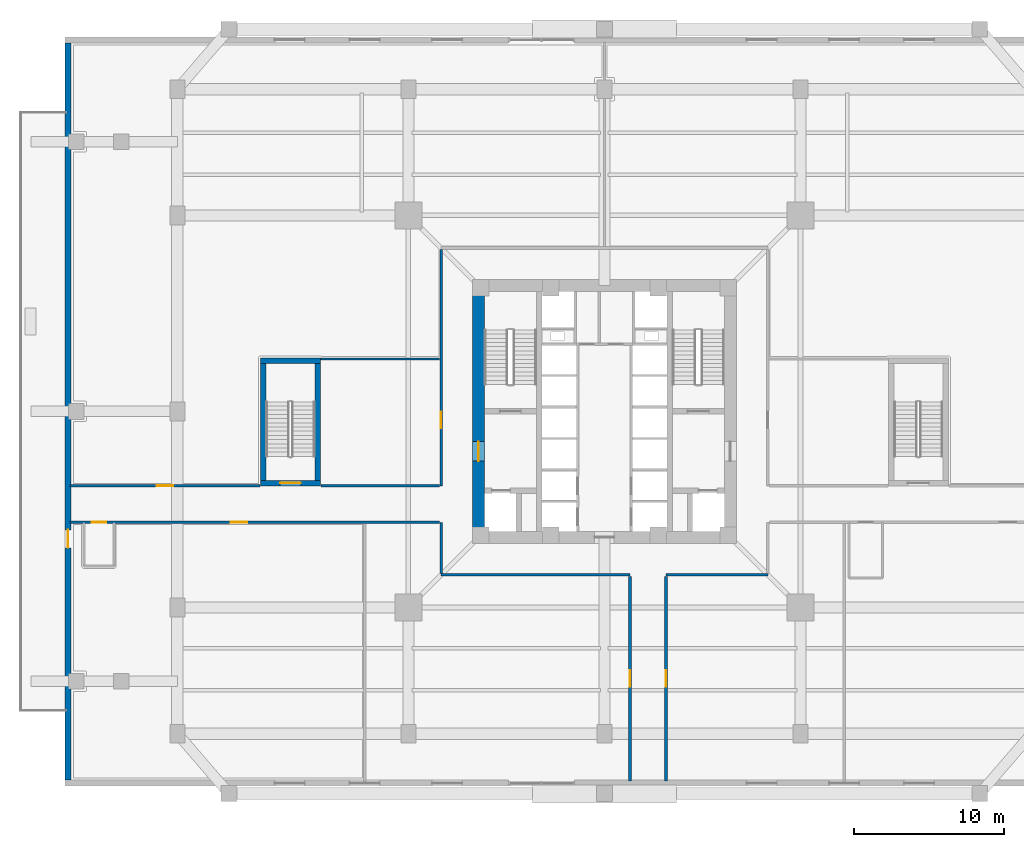
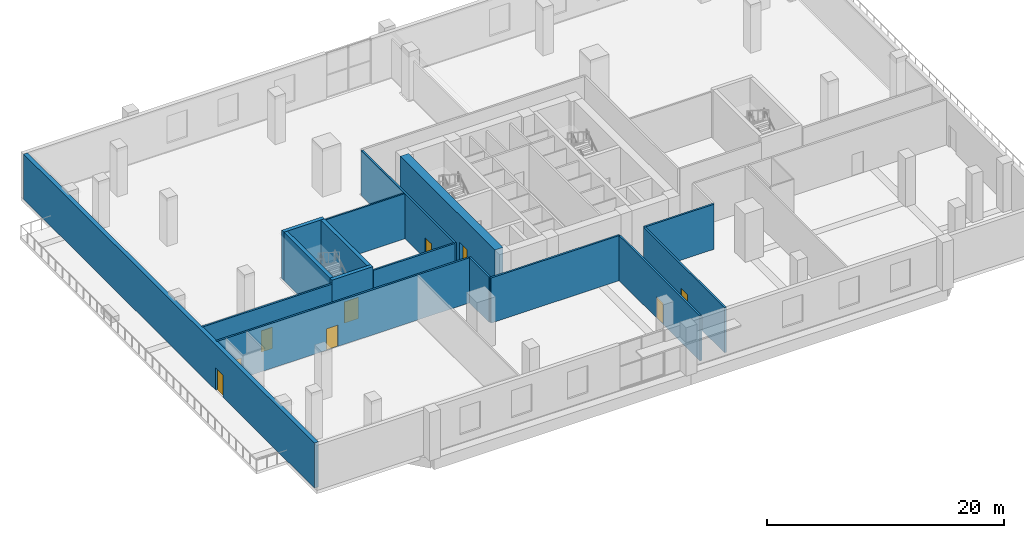
# One storey, part 6 of 15: 16 walls, 9 doors, 9 openings.
"""IFC4 building model written with IfcOpenShell, lengths in metres."""

from ifc_helpers import new_model, si_unit, direction, frame, frame_2d, origin, place, context, subcontext, project, spatial, rectangle, extrude, source, transform, mapped, material, layer, layer_set, type_object, element, fill, save


model = new_model("IFC4")

# Units and contexts
model_context = context("Model", 3, precision=1e-05, world=origin(), true_north=direction((0.0, 1.0)))
body_context = subcontext(model_context, "Body", "Model", "MODEL_VIEW")
ifc_project = project(units=[si_unit("LENGTHUNIT", "METRE"), si_unit("AREAUNIT", "SQUARE_METRE"), si_unit("VOLUMEUNIT", "CUBIC_METRE"), si_unit("PLANEANGLEUNIT", "RADIAN"), si_unit("MASSUNIT", "GRAM", prefix="KILO"), si_unit("THERMODYNAMICTEMPERATUREUNIT", "KELVIN")], contexts=[model_context])

# Site, building, storey
site_placement = place(None, origin())
site = spatial("IfcSite", under=ifc_project, at=site_placement, CompositionType="ELEMENT")
building_placement = place(site_placement, origin())
building = spatial("IfcBuilding", under=site, at=building_placement, Name="Kosmvard Interchange Tower", CompositionType="ELEMENT")
storey_placement = place(building_placement, frame((0.0, 0.0, 11.0)))
storey = spatial("IfcBuildingStorey", under=building, at=storey_placement, Name="L02", CompositionType="ELEMENT", Elevation=11.0)

# Walls
ifc_material_1 = material(Name="Acoustic gypsum partition system")
ifc_layer_1 = layer(ifc_material_1, 0.14990234375, Name="Acoustic gypsum partition system")
ifc_layer_set_1 = layer_set([ifc_layer_1], Name="Acoustic gypsum partition system")
wall_type_1 = type_object("IfcWallType", Name="Acoustic Suite & Meeting Partition 150", PredefinedType="PARTITIONING", material=ifc_layer_set_1)
wall_1_placement = place(storey_placement, frame((-18.9599609375, 3.5, 0.0), z_axis=(0.0, 0.0, 1.0), x_axis=(1.0, 0.0, 0.0)))
element("IfcWall", 1, at=wall_1_placement, inside=storey, type_object=wall_type_1, Name="L02 Room Partition 02.1", PredefinedType="PARTITIONING", context=body_context, shape_type="SweptSolid", body=[
    extrude(rectangle(XDim=7.96484375, YDim=0.14990234375, at=frame_2d((3.982421875, 0.0))), origin(), (0.0, 0.0, 1.0), 4.659912109375),
])
ifc_material_2 = material(Name="Fire-rated gypsum partition system")
ifc_layer_2 = layer(ifc_material_2, 0.179931640625, Name="Fire-rated gypsum partition system")
ifc_layer_set_2 = layer_set([ifc_layer_2], Name="Fire-rated gypsum partition system")
wall_type_2 = type_object("IfcWallType", Name="Corridor & Hotel Compartment Partition 180", PredefinedType="PARTITIONING", material=ifc_layer_set_2)
wall_2_placement = place(storey_placement, frame((-10.89990234375, -10.89990234375, 0.0), z_axis=(0.0, 0.0, 1.0), x_axis=(1.0, 0.0, 0.0)))
element("IfcWall", 2, at=wall_2_placement, inside=storey, type_object=wall_type_2, Name="L02 Corridor Wall CSW", PredefinedType="PARTITIONING", context=body_context, shape_type="SweptSolid", body=[
    extrude(rectangle(XDim=12.599853515625, YDim=0.179931640625, at=frame_2d((6.2998046875, 0.0))), origin(), (0.0, 0.0, 1.0), 4.659912109375),
])
wall_3_placement = place(storey_placement, frame((4.10009765625, -10.89990234375, 0.0), z_axis=(0.0, 0.0, 1.0), x_axis=(1.0, 0.0, 0.0)))
element("IfcWall", 3, at=wall_3_placement, inside=storey, type_object=wall_type_2, Name="L02 Corridor Wall CSE", PredefinedType="PARTITIONING", context=body_context, shape_type="SweptSolid", body=[
    extrude(rectangle(XDim=6.7998046875, YDim=0.179931640625, at=frame_2d((3.39990234375, 0.0))), origin(), (0.0, 0.0, 1.0), 4.659912109375),
])
wall_4_placement = place(storey_placement, frame((-10.89990234375, -10.800048828125, 0.0), z_axis=(0.0, 0.0, 1.0), x_axis=(0.0, 1.0, 0.0)))
element("IfcWall", 4, at=wall_4_placement, inside=storey, type_object=wall_type_2, Name="L02 Corridor Wall CWS", PredefinedType="PARTITIONING", context=body_context, shape_type="SweptSolid", body=[
    extrude(rectangle(XDim=3.400146484375, YDim=0.179931640625, at=frame_2d((1.7001953125, 0.0))), origin(), (0.0, 0.0, 1.0), 4.659912109375),
])

# Wall, opening, door
wall_5_placement = place(storey_placement, frame((-10.89990234375, -4.9599609375, 0.0), z_axis=(0.0, 0.0, 1.0), x_axis=(0.0, 1.0, 0.0)))
wall_5 = element("IfcWall", 5, at=wall_5_placement, inside=storey, type_object=wall_type_2, Name="L02 Corridor Wall CWN", PredefinedType="PARTITIONING", context=body_context, shape_type="SweptSolid", body=[
    extrude(rectangle(XDim=15.760009765625, YDim=0.179931640625, at=frame_2d((7.8798828125, 0.0))), origin(), (0.0, 0.0, 1.0), 4.659912109375),
])
opening_1_placement = place(wall_5_placement, frame((3.844482421875, 0.0, 0.0)))
opening_1 = element("IfcOpeningElement", 6, at=opening_1_placement, cuts=wall_5, Name="Opening L02-D05", PredefinedType="OPENING", context=body_context, shape_type="SweptSolid", body=[
    extrude(rectangle(XDim=1.10009765625, YDim=2.199951171875, at=frame_2d((0.550048828125, 1.10009765625))), frame((0.0, 0.10009765625, 0.0), z_axis=(0.0, -1.0, 0.0), x_axis=(1.0, 0.0, 0.0)), (0.0, 0.0, 1.0), 0.199951171875),
])
ifc_material_3 = material(Name="Engineered oak fire-rated timber", Category="wood")
door_type_1 = type_object("IfcDoorType", Name="Office Suite Entrance Door 1100x2200 FD30S", OperationType="NOTDEFINED", PredefinedType="DOOR", material=ifc_material_3)
shared_shape_1 = source(origin(), body_context, "Body", "SweptSolid", [
    extrude(rectangle(XDim=1.10009765625, YDim=2.199951171875, at=frame_2d((0.550048828125, 1.10009765625))), frame((0.0, 0.02490234375, 0.0), z_axis=(0.0, -1.0, 0.0), x_axis=(1.0, 0.0, 0.0)), (0.0, 0.0, 1.0), 0.050048828125),
])
door_1_placement = place(opening_1_placement, origin())
door_1 = element("IfcDoor", 7, at=door_1_placement, inside=storey, type_object=door_type_1, Name="L02 L02 Restaurant Catering Kitchen Door", OperationType="SINGLE_SWING_LEFT", OverallHeight=2.199951171875, OverallWidth=1.10009765625, PredefinedType="DOOR", context=body_context, shape_type="MappedRepresentation", body=[
    mapped(shared_shape_1, transform((0.0, 0.0, 0.0), scale=1.0)),
])
fill(opening_1, door_1)

# Wall, openings, doors
wall_6_placement = place(storey_placement, frame((-35.6650390625, -7.39990234375, 0.0), z_axis=(0.0, 0.0, 1.0), x_axis=(1.0, 0.0, 0.0)))
wall_6 = element("IfcWall", 8, at=wall_6_placement, inside=storey, type_object=wall_type_2, Name="L02 Corridor Wall SWS", PredefinedType="PARTITIONING", context=body_context, shape_type="SweptSolid", body=[
    extrude(rectangle(XDim=24.6650390625, YDim=0.179931640625, at=frame_2d((12.33251953125, 0.0))), origin(), (0.0, 0.0, 1.0), 4.659912109375),
])
opening_2_placement = place(wall_6_placement, frame((1.455078125, 0.0, 0.0)))
opening_2 = element("IfcOpeningElement", 9, at=opening_2_placement, cuts=wall_6, Name="Opening L02-D01", PredefinedType="OPENING", context=body_context, shape_type="SweptSolid", body=[
    extrude(rectangle(XDim=0.949951171875, YDim=2.10009765625, at=frame_2d((0.47509765625, 1.050048828125))), frame((0.0, 0.10009765625, 0.0), z_axis=(0.0, -1.0, 0.0), x_axis=(1.0, 0.0, 0.0)), (0.0, 0.0, 1.0), 0.199951171875),
])
opening_3_placement = place(wall_6_placement, frame((10.741455078125, 0.0, 0.0)))
opening_3 = element("IfcOpeningElement", 10, at=opening_3_placement, cuts=wall_6, Name="Opening L02-D07", PredefinedType="OPENING", context=body_context, shape_type="SweptSolid", body=[
    extrude(rectangle(XDim=1.10009765625, YDim=2.199951171875, at=frame_2d((0.550048828125, 1.10009765625))), frame((0.0, 0.10009765625, 0.0), z_axis=(0.0, -1.0, 0.0), x_axis=(1.0, 0.0, 0.0)), (0.0, 0.0, 1.0), 0.199951171875),
])
ifc_material_4 = material(Name="Laminated moisture-resistant timber", Category="wood")
door_type_2 = type_object("IfcDoorType", Name="Accessible Washroom Door 950x2100", OperationType="NOTDEFINED", PredefinedType="DOOR", material=ifc_material_4)
shared_shape_2 = source(origin(), body_context, "Body", "SweptSolid", [
    extrude(rectangle(XDim=0.949951171875, YDim=2.10009765625, at=frame_2d((0.47509765625, 1.050048828125))), frame((0.0, 0.02490234375, 0.0), z_axis=(0.0, -1.0, 0.0), x_axis=(1.0, 0.0, 0.0)), (0.0, 0.0, 1.0), 0.050048828125),
])
door_2_placement = place(opening_2_placement, frame((0.949951171875, 0.0, 0.0), z_axis=(0.0, 0.0, 1.0), x_axis=(-1.0, 0.0, 0.0)))
door_2 = element("IfcDoor", 11, at=door_2_placement, inside=storey, type_object=door_type_2, Name="L02 Accessible Toilet Door", OperationType="SINGLE_SWING_LEFT", OverallHeight=2.10009765625, OverallWidth=0.949951171875, PredefinedType="DOOR", context=body_context, shape_type="MappedRepresentation", body=[
    mapped(shared_shape_2, transform((0.0, 0.0, 0.0), scale=1.0)),
])
fill(opening_2, door_2)
door_3_placement = place(opening_3_placement, frame((1.10009765625, 0.0, 0.0), z_axis=(0.0, 0.0, 1.0), x_axis=(-1.0, 0.0, 0.0)))
door_3 = element("IfcDoor", 12, at=door_3_placement, inside=storey, type_object=door_type_1, Name="L02 L02 West Cascade Terrace Shop Door", OperationType="SINGLE_SWING_LEFT", OverallHeight=2.199951171875, OverallWidth=1.10009765625, PredefinedType="DOOR", context=body_context, shape_type="MappedRepresentation", body=[
    mapped(shared_shape_1, transform((0.0, 0.0, 0.0), scale=1.0)),
])
fill(opening_3, door_3)

# Wall, opening, door
wall_7_placement = place(storey_placement, frame((-35.6650390625, -4.9599609375, 0.0), z_axis=(0.0, 0.0, 1.0), x_axis=(1.0, 0.0, 0.0)))
wall_7 = element("IfcWall", 13, at=wall_7_placement, inside=storey, type_object=wall_type_2, Name="L02 Corridor Wall SWN1", PredefinedType="PARTITIONING", context=body_context, shape_type="SweptSolid", body=[
    extrude(rectangle(XDim=12.68505859375, YDim=0.179931640625, at=frame_2d((6.342529296875, 0.0))), origin(), (0.0, 0.0, 1.0), 4.659912109375),
])
opening_4_placement = place(wall_7_placement, frame((5.79248046875, 0.0, 0.0)))
opening_4 = element("IfcOpeningElement", 14, at=opening_4_placement, cuts=wall_7, Name="Opening L02-D03", PredefinedType="OPENING", context=body_context, shape_type="SweptSolid", body=[
    extrude(rectangle(XDim=1.10009765625, YDim=2.199951171875, at=frame_2d((0.550048828125, 1.10009765625))), frame((0.0, 0.10009765625, 0.0), z_axis=(0.0, -1.0, 0.0), x_axis=(1.0, 0.0, 0.0)), (0.0, 0.0, 1.0), 0.199951171875),
])
door_4_placement = place(opening_4_placement, origin())
door_4 = element("IfcDoor", 15, at=door_4_placement, inside=storey, type_object=door_type_1, Name="L02 L02 West Retail Gallery Door", OperationType="SINGLE_SWING_LEFT", OverallHeight=2.199951171875, OverallWidth=1.10009765625, PredefinedType="DOOR", context=body_context, shape_type="MappedRepresentation", body=[
    mapped(shared_shape_1, transform((0.0, 0.0, 0.0), scale=1.0)),
])
fill(opening_4, door_4)

# Wall
wall_8_placement = place(storey_placement, frame((-18.919921875, -4.9599609375, 0.0), z_axis=(0.0, 0.0, 1.0), x_axis=(1.0, 0.0, 0.0)))
element("IfcWall", 16, at=wall_8_placement, inside=storey, type_object=wall_type_2, Name="L02 Corridor Wall SWN2", PredefinedType="PARTITIONING", context=body_context, shape_type="SweptSolid", body=[
    extrude(rectangle(XDim=7.919921875, YDim=0.179931640625, at=frame_2d((3.9599609375, 0.0))), origin(), (0.0, 0.0, 1.0), 4.659912109375),
])

# Wall, opening, door
wall_9_placement = place(storey_placement, frame((1.699951171875, -24.6650390625, 0.0), z_axis=(0.0, 0.0, 1.0), x_axis=(0.0, 1.0, 0.0)))
wall_9 = element("IfcWall", 17, at=wall_9_placement, inside=storey, type_object=wall_type_2, Name="L02 Corridor Wall SSW", PredefinedType="PARTITIONING", context=body_context, shape_type="SweptSolid", body=[
    extrude(rectangle(XDim=13.6650390625, YDim=0.179931640625, at=frame_2d((6.83251953125, 0.0))), origin(), (0.0, 0.0, 1.0), 4.659912109375),
])
opening_5_placement = place(wall_9_placement, frame((6.282470703125, 0.0, 0.0)))
opening_5 = element("IfcOpeningElement", 18, at=opening_5_placement, cuts=wall_9, Name="Opening L02-D08", PredefinedType="OPENING", context=body_context, shape_type="SweptSolid", body=[
    extrude(rectangle(XDim=1.10009765625, YDim=2.199951171875, at=frame_2d((0.550048828125, 1.10009765625))), frame((0.0, 0.10009765625, 0.0), z_axis=(0.0, -1.0, 0.0), x_axis=(1.0, 0.0, 0.0)), (0.0, 0.0, 1.0), 0.199951171875),
])
door_5_placement = place(opening_5_placement, origin())
door_5 = element("IfcDoor", 19, at=door_5_placement, inside=storey, type_object=door_type_1, Name="L02 L02 Passenger Dining Restaurant Door", OperationType="SINGLE_SWING_RIGHT", OverallHeight=2.199951171875, OverallWidth=1.10009765625, PredefinedType="DOOR", context=body_context, shape_type="MappedRepresentation", body=[
    mapped(shared_shape_1, transform((0.0, 0.0, 0.0), scale=1.0)),
])
fill(opening_5, door_5)

wall_10_placement = place(storey_placement, frame((4.10009765625, -24.6650390625, 0.0), z_axis=(0.0, 0.0, 1.0), x_axis=(0.0, 1.0, 0.0)))
wall_10 = element("IfcWall", 20, at=wall_10_placement, inside=storey, type_object=wall_type_2, Name="L02 Corridor Wall SSE", PredefinedType="PARTITIONING", context=body_context, shape_type="SweptSolid", body=[
    extrude(rectangle(XDim=13.6650390625, YDim=0.179931640625, at=frame_2d((6.83251953125, 0.0))), origin(), (0.0, 0.0, 1.0), 4.659912109375),
])
opening_6_placement = place(wall_10_placement, frame((6.282470703125, 0.0, 0.0)))
opening_6 = element("IfcOpeningElement", 21, at=opening_6_placement, cuts=wall_10, Name="Opening L02-D09", PredefinedType="OPENING", context=body_context, shape_type="SweptSolid", body=[
    extrude(rectangle(XDim=1.10009765625, YDim=2.199951171875, at=frame_2d((0.550048828125, 1.10009765625))), frame((0.0, 0.10009765625, 0.0), z_axis=(0.0, -1.0, 0.0), x_axis=(1.0, 0.0, 0.0)), (0.0, 0.0, 1.0), 0.199951171875),
])
door_6_placement = place(opening_6_placement, frame((1.10009765625, 0.0, 0.0), z_axis=(0.0, 0.0, 1.0), x_axis=(-1.0, 0.0, 0.0)))
door_6 = element("IfcDoor", 22, at=door_6_placement, inside=storey, type_object=door_type_1, Name="L02 L02 Espresso Terrace Bistro Door", OperationType="SINGLE_SWING_LEFT", OverallHeight=2.199951171875, OverallWidth=1.10009765625, PredefinedType="DOOR", context=body_context, shape_type="MappedRepresentation", body=[
    mapped(shared_shape_1, transform((0.0, 0.0, 0.0), scale=1.0)),
])
fill(opening_6, door_6)

ifc_material_5 = material(Name="Concrete C80/95", Category="concrete")
ifc_layer_3 = layer(ifc_material_5, 0.800048828125, Name="Concrete C80/95")
ifc_layer_set_3 = layer_set([ifc_layer_3], Name="Concrete C80/95")
wall_type_3 = type_object("IfcWallType", Name="Lower Core Shear Wall 800 C80/95", PredefinedType="SHEAR", material=ifc_layer_set_3)
wall_11_placement = place(storey_placement, frame((-8.39990234375, -8.0, 0.0), z_axis=(0.0, 0.0, 1.0), x_axis=(0.0, 1.0, 0.0)))
wall_11 = element("IfcWall", 23, at=wall_11_placement, inside=storey, type_object=wall_type_3, Name="L02 Core Shear Wall CW-W", PredefinedType="SHEAR", context=body_context, shape_type="SweptSolid", body=[
    extrude(rectangle(XDim=16.0, YDim=0.800048828125, at=frame_2d((8.0, 0.0))), origin(), (0.0, 0.0, 1.0), 5.0),
])
opening_7_placement = place(wall_11_placement, frame((4.68994140625, 0.0, 0.0)))
opening_7 = element("IfcOpeningElement", 24, at=opening_7_placement, cuts=wall_11, Name="Opening L02-FD1", PredefinedType="OPENING", context=body_context, shape_type="SweptSolid", body=[
    extrude(rectangle(XDim=1.300048828125, YDim=2.199951171875, at=frame_2d((0.64990234375, 1.10009765625))), frame((0.0, 0.41015625, 0.0), z_axis=(0.0, -1.0, 0.0), x_axis=(1.0, 0.0, 0.0)), (0.0, 0.0, 1.0), 0.820068359375),
])
ifc_material_6 = material(Name="Painted fire-rated steel leaf", Category="steel")
door_type_3 = type_object("IfcDoorType", Name="Firefighting Lobby Door 1300x2200 EI60", OperationType="NOTDEFINED", PredefinedType="DOOR", material=ifc_material_6)
shared_shape_3 = source(origin(), body_context, "Body", "SweptSolid", [
    extrude(rectangle(XDim=1.300048828125, YDim=2.199951171875, at=frame_2d((0.64990234375, 1.10009765625))), frame((0.0, 0.02490234375, 0.0), z_axis=(0.0, -1.0, 0.0), x_axis=(1.0, 0.0, 0.0)), (0.0, 0.0, 1.0), 0.050048828125),
])
door_7_placement = place(opening_7_placement, frame((1.300048828125, 0.0, 0.0), z_axis=(0.0, 0.0, 1.0), x_axis=(-1.0, 0.0, 0.0)))
door_7 = element("IfcDoor", 25, at=door_7_placement, inside=storey, type_object=door_type_3, Name="L02 Firefighting Lobby West Door", OperationType="SINGLE_SWING_LEFT", OverallHeight=2.199951171875, OverallWidth=1.300048828125, PredefinedType="DOOR", context=body_context, shape_type="MappedRepresentation", body=[
    mapped(shared_shape_3, transform((0.0, 0.0, 0.0), scale=1.0)),
])
fill(opening_7, door_7)

ifc_material_7 = material(Name="Precast concrete C45/55", Category="concrete")
ifc_layer_4 = layer(ifc_material_7, 0.39990234375, Name="Precast concrete C45/55")
ifc_layer_set_4 = layer_set([ifc_layer_4], Name="Precast concrete C45/55")
wall_type_4 = type_object("IfcWallType", Name="Podium Precast Stone Pier Wall 400 C45/55", PredefinedType="STANDARD", material=ifc_layer_set_4)
wall_12_placement = place(storey_placement, frame((-35.800048828125, -24.60009765625, 0.0), z_axis=(0.0, 0.0, 1.0), x_axis=(0.0, 1.0, 0.0)))
wall_12 = element("IfcWall", 26, at=wall_12_placement, inside=storey, type_object=wall_type_4, Name="L02 Podium Precast Wall EW-W", PredefinedType="STANDARD", context=body_context, shape_type="SweptSolid", body=[
    extrude(rectangle(XDim=49.2001953125, YDim=0.39990234375, at=frame_2d((24.60009765625, 0.0))), origin(), (0.0, 0.0, 1.0), 4.659912109375),
])
opening_8_placement = place(wall_12_placement, frame((15.5, 0.0, 0.0)))
opening_8 = element("IfcOpeningElement", 27, at=opening_8_placement, cuts=wall_12, Name="Opening L02-TDW", PredefinedType="OPENING", context=body_context, shape_type="SweptSolid", body=[
    extrude(rectangle(XDim=1.199951171875, YDim=2.300048828125, at=frame_2d((0.60009765625, 1.14990234375))), frame((0.0, 0.2099609375, 0.0), z_axis=(0.0, -1.0, 0.0), x_axis=(1.0, 0.0, 0.0)), (0.0, 0.0, 1.0), 0.419921875),
])
ifc_material_8 = material(Name="Anodised aluminium and safety glass", Category="aluminium")
door_type_4 = type_object("IfcDoorType", Name="Cascade Terrace Glazed Door 1200x2300", OperationType="NOTDEFINED", PredefinedType="DOOR", material=ifc_material_8)
shared_shape_4 = source(origin(), body_context, "Body", "SweptSolid", [
    extrude(rectangle(XDim=1.199951171875, YDim=2.300048828125, at=frame_2d((0.60009765625, 1.14990234375))), frame((0.0, 0.02490234375, 0.0), z_axis=(0.0, -1.0, 0.0), x_axis=(1.0, 0.0, 0.0)), (0.0, 0.0, 1.0), 0.050048828125),
])
door_8_placement = place(opening_8_placement, frame((1.199951171875, 0.0, 0.0), z_axis=(0.0, 0.0, 1.0), x_axis=(-1.0, 0.0, 0.0)))
door_8 = element("IfcDoor", 28, at=door_8_placement, inside=storey, type_object=door_type_4, Name="L02 West Cascading Terrace Door", OperationType="SINGLE_SWING_LEFT", OverallHeight=2.300048828125, OverallWidth=1.199951171875, PredefinedType="DOOR", context=body_context, shape_type="MappedRepresentation", body=[
    mapped(shared_shape_4, transform((0.0, 0.0, 0.0), scale=1.0)),
])
fill(opening_8, door_8)

ifc_material_9 = material(Name="Concrete C60/75", Category="concrete")
ifc_layer_5 = layer(ifc_material_9, 0.360107421875, Name="Concrete C60/75")
ifc_layer_set_5 = layer_set([ifc_layer_5], Name="Concrete C60/75")
wall_type_5 = type_object("IfcWallType", Name="Stair & Lift Shaft Shear Wall 360 C60/75", PredefinedType="SHEAR", material=ifc_layer_set_5)
wall_13_placement = place(storey_placement, frame((-22.93994140625, -4.780029296875, 0.0), z_axis=(0.0, 0.0, 1.0), x_axis=(1.0, 0.0, 0.0)))
wall_13 = element("IfcWall", 29, at=wall_13_placement, inside=storey, type_object=wall_type_5, Name="L02 Podium Stair Shear Wall ST3S", PredefinedType="SHEAR", context=body_context, shape_type="SweptSolid", body=[
    extrude(rectangle(XDim=3.97998046875, YDim=0.360107421875, at=frame_2d((1.989990234375, 0.0))), origin(), (0.0, 0.0, 1.0), 5.0),
])
opening_9_placement = place(wall_13_placement, frame((1.2900390625, 0.0, 0.0)))
opening_9 = element("IfcOpeningElement", 30, at=opening_9_placement, cuts=wall_13, Name="Opening L02-SD3", PredefinedType="OPENING", context=body_context, shape_type="SweptSolid", body=[
    extrude(rectangle(XDim=1.39990234375, YDim=2.199951171875, at=frame_2d((0.699951171875, 1.10009765625))), frame((0.0, 0.18994140625, 0.0), z_axis=(0.0, -1.0, 0.0), x_axis=(1.0, 0.0, 0.0)), (0.0, 0.0, 1.0), 0.380126953125),
])
door_type_5 = type_object("IfcDoorType", Name="Protected Stair Door 1400x2200 FD60S", OperationType="NOTDEFINED", PredefinedType="DOOR", material=ifc_material_6)
shared_shape_5 = source(origin(), body_context, "Body", "SweptSolid", [
    extrude(rectangle(XDim=1.39990234375, YDim=2.199951171875, at=frame_2d((0.699951171875, 1.10009765625))), frame((0.0, 0.02490234375, 0.0), z_axis=(0.0, -1.0, 0.0), x_axis=(1.0, 0.0, 0.0)), (0.0, 0.0, 1.0), 0.050048828125),
])
door_9_placement = place(opening_9_placement, origin())
door_9 = element("IfcDoor", 31, at=door_9_placement, inside=storey, type_object=door_type_5, Name="L02 Podium Stair ST3 Door", OperationType="SINGLE_SWING_LEFT", OverallHeight=2.199951171875, OverallWidth=1.39990234375, PredefinedType="DOOR", context=body_context, shape_type="MappedRepresentation", body=[
    mapped(shared_shape_5, transform((0.0, 0.0, 0.0), scale=1.0)),
])
fill(opening_9, door_9)

# Walls
wall_14_placement = place(storey_placement, frame((-22.93994140625, 3.3798828125, 0.0), z_axis=(0.0, 0.0, 1.0), x_axis=(1.0, 0.0, 0.0)))
element("IfcWall", 32, at=wall_14_placement, inside=storey, type_object=wall_type_5, Name="L02 Podium Stair Shear Wall ST3N", PredefinedType="SHEAR", context=body_context, shape_type="SweptSolid", body=[
    extrude(rectangle(XDim=3.97998046875, YDim=0.360107421875, at=frame_2d((1.989990234375, 0.0))), origin(), (0.0, 0.0, 1.0), 5.0),
])
for number, where, z_axis, x_axis, name in (
    (33, (-22.760009765625, -4.60009765625, 0.0), (0.0, 0.0, 1.0), (0.0, 1.0, 0.0), "L02 Podium Stair Shear Wall ST3W"),
    (34, (-19.139892578125, -4.60009765625, 0.0), (0.0, 0.0, 1.0), (0.0, 1.0, 0.0), "L02 Podium Stair Shear Wall ST3E"),
):
    element("IfcWall", number, at=place(storey_placement, frame(where, z_axis=z_axis, x_axis=x_axis)), inside=storey, type_object=wall_type_5, Name=name, PredefinedType="SHEAR", context=body_context, shape_type="SweptSolid", body=[
        extrude(rectangle(XDim=7.800048828125, YDim=0.360107421875, at=frame_2d((3.89990234375, 0.0))), origin(), (0.0, 0.0, 1.0), 5.0),
    ])

save(model, "model.ifc")
